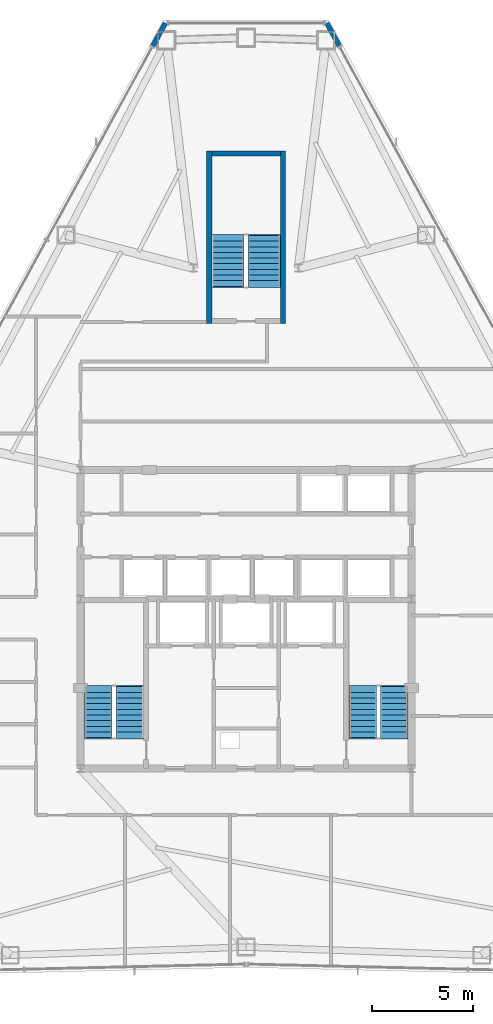
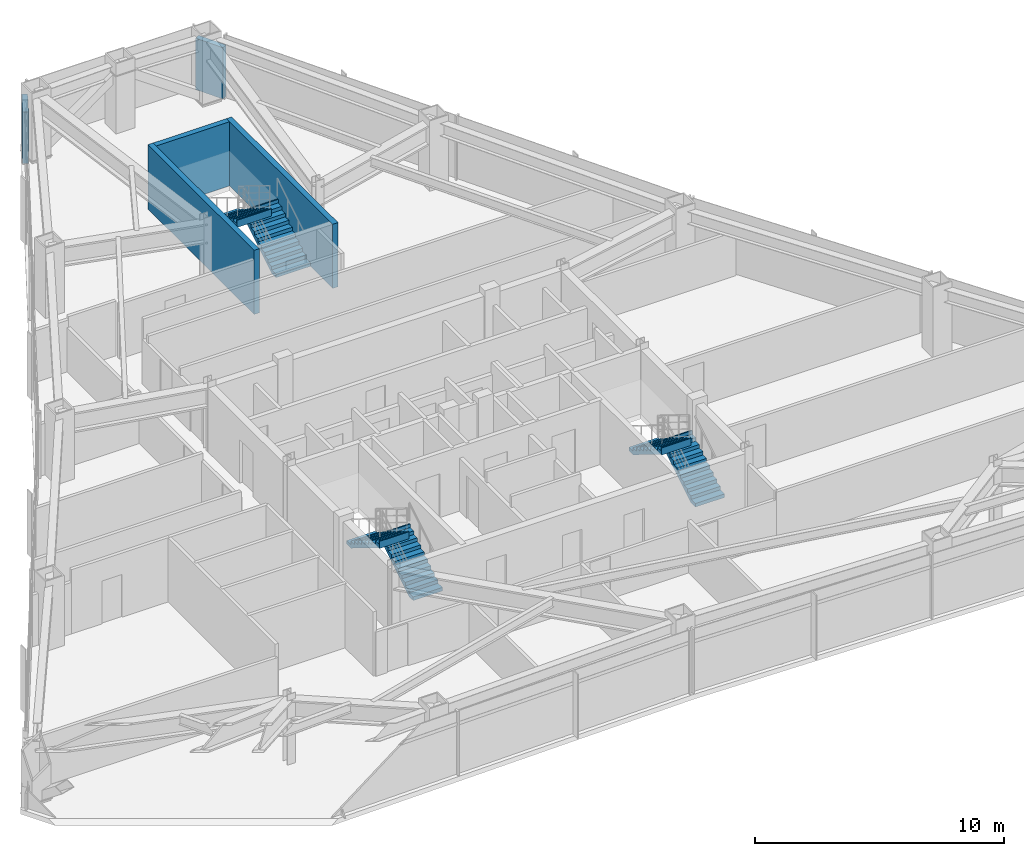
# One storey, part 11 of 12: 6 stair flights, 5 walls, 3 elements without a shape of their own.
"""IFC4 building model written with IfcOpenShell, lengths in metres."""

from ifc_helpers import new_model, si_unit, direction, frame, frame_2d, origin, place, context, subcontext, project, spatial, polyline, rectangle, outline, extrude, material, layer, layer_set, type_object, element, aggregate, save


model = new_model("IFC4")

# Units and contexts
model_context = context("Model", 3, precision=1e-05, world=origin(), true_north=direction((0.0, 1.0)))
body_context = subcontext(model_context, "Body", "Model", "MODEL_VIEW")
ifc_project = project(units=[si_unit("LENGTHUNIT", "METRE"), si_unit("AREAUNIT", "SQUARE_METRE"), si_unit("VOLUMEUNIT", "CUBIC_METRE"), si_unit("PLANEANGLEUNIT", "RADIAN"), si_unit("MASSUNIT", "GRAM", prefix="KILO")], contexts=[model_context])

# Site, building, storey
site_placement = place(None, origin())
site = spatial("IfcSite", under=ifc_project, at=site_placement, CompositionType="ELEMENT")
building_placement = place(site_placement, origin())
building = spatial("IfcBuilding", under=site, at=building_placement, Name="Varakhsha Concourse Tower", CompositionType="ELEMENT")
storey_placement = place(building_placement, frame((0.0, 0.0, 153.949951171875)))
storey = spatial("IfcBuildingStorey", under=building, at=storey_placement, Name="L44", CompositionType="ELEMENT", Elevation=153.949951171875)

# Walls
ifc_material = material(Name="Concrete fc 45 MPa", Category="concrete")
ifc_layer_1 = layer(ifc_material, 0.239990234375, Name="WL-EXT-CRN-240")
ifc_layer_set_1 = layer_set([ifc_layer_1], Name="Concrete fc 45 MPa")
wall_type_1 = type_object("IfcWallType", Name="WL-EXT-CRN-240", PredefinedType="SHEAR", material=ifc_layer_set_1)
for number, where, z_axis, x_axis, name in (
    (1, (35.996826171875, 53.342041015625, 0.0), (0.0, 0.0, 1.0), (-0.479580410706, -0.87749793713, 0.0), "L44 Wind-Corner Shoulder Wall F2"),
    (2, (44.62255859375, 52.208740234375, 0.0), (0.0, 0.0, 1.0), (-0.479580410706, 0.87749793713, 0.0), "L44 Wind-Corner Shoulder Wall F9"),
):
    element("IfcWall", number, at=place(storey_placement, frame(where, z_axis=z_axis, x_axis=x_axis)), inside=storey, type_object=wall_type_1, Name=name, PredefinedType="SHEAR", context=body_context, shape_type="SweptSolid", body=[
        extrude(rectangle(XDim=1.29150390625, YDim=0.239990234375, at=frame_2d((0.645751953125, 0.0))), origin(), (0.0, 0.0, 1.0), 2.52294921875),
    ])
ifc_layer_2 = layer(ifc_material, 0.25, Name="WL-STAIR-250")
ifc_layer_set_2 = layer_set([ifc_layer_2], Name="Concrete fc 45 MPa")
wall_type_2 = type_object("IfcWallType", Name="WL-STAIR-250", PredefinedType="SHEAR", material=ifc_layer_set_2)
for number, where, z_axis, x_axis, name in (
    (3, (38.175048828125, 38.449951171875, 0.0), (0.0, 0.0, 1.0), (0.0, 1.0, 0.0), "L44 Wall SWALL-ST5-W-L44"),
    (4, (41.824951171875, 38.449951171875, 0.0), (0.0, 0.0, 1.0), (0.0, 1.0, 0.0), "L44 Wall SWALL-ST5-E-L44"),
):
    element("IfcWall", number, at=place(storey_placement, frame(where, z_axis=z_axis, x_axis=x_axis)), inside=storey, type_object=wall_type_2, Name=name, PredefinedType="SHEAR", context=body_context, shape_type="SweptSolid", body=[
        extrude(rectangle(XDim=8.550048828125, YDim=0.25, at=frame_2d((4.27490234375, 0.0))), origin(), (0.0, 0.0, 1.0), 3.150146484375),
    ])
wall_placement = place(storey_placement, frame((38.300048828125, 46.875, 0.0), z_axis=(0.0, 0.0, 1.0), x_axis=(1.0, 0.0, 0.0)))
element("IfcWall", 5, at=wall_placement, inside=storey, type_object=wall_type_2, Name="L44 Wall SWALL-ST5-N-L44", PredefinedType="SHEAR", context=body_context, shape_type="SweptSolid", body=[
    extrude(rectangle(XDim=3.39990234375, YDim=0.25, at=frame_2d((1.699951171875, 0.0))), origin(), (0.0, 0.0, 1.0), 3.150146484375),
])

# Stair, stair flights
stair_type_1 = type_object("IfcStairType", Name="ST-DOGLEG-1360", PredefinedType="HALF_TURN_STAIR", material=ifc_material)
stair_1_placement = place(storey_placement, origin())
stair_1 = element("IfcStair", 6, at=stair_1_placement, inside=storey, type_object=stair_type_1, Name="L44 Protected Exit Stair ST1", PredefinedType="HALF_TURN_STAIR")
stair_flight_type_1 = type_object("IfcStairFlightType", Name="STF-1360-R1725", PredefinedType="STRAIGHT", material=ifc_material)
stair_flight_1_placement = place(storey_placement, frame((34.239990234375, 17.93994140625, 0.0), z_axis=(0.0, 0.0, 1.0), x_axis=(0.0, 1.0, 0.0)))
stair_flight_1 = element("IfcStairFlight", 7, at=stair_flight_1_placement, type_object=stair_flight_type_1, Name="ST1 flight 1", NumberOfRisers=10, NumberOfTreads=9, PredefinedType="STRAIGHT", RiserHeight=0.1725, TreadLength=0.28, context=body_context, shape_type="SweptSolid", body=[
    extrude(outline(polyline([(-0.06005859375, 0.0), (-0.06005859375, 0.172607421875), (0.0, 0.172607421875), (0.280029296875, 0.172607421875), (0.280029296875, 0.344970703125), (0.56005859375, 0.344970703125), (0.56005859375, 0.517578125), (0.840087890625, 0.517578125), (0.840087890625, 0.68994140625), (1.1201171875, 0.68994140625), (1.1201171875, 0.862548828125), (1.39990234375, 0.862548828125), (1.39990234375, 1.034912109375), (1.679931640625, 1.034912109375), (1.679931640625, 1.20751953125), (1.9599609375, 1.20751953125), (1.9599609375, 1.3798828125), (2.239990234375, 1.3798828125), (2.239990234375, 1.552490234375), (2.52001953125, 1.552490234375), (2.52001953125, 1.72509765625), (2.580078125, 1.72509765625), (2.580078125, 1.37646484375), (2.52001953125, 1.37646484375), (0.285888671875, 0.0), (-0.06005859375, 0.0)])), frame((0.0, 0.68017578125, 0.0), z_axis=(0.0, -1.0, 0.0), x_axis=(1.0, 0.0, 0.0)), (0.0, 0.0, 1.0), 1.360107421875),
])
stair_flight_2_placement = place(storey_placement, frame((32.679931640625, 20.4599609375, 1.72509765625), z_axis=(0.0, 0.0, 1.0), x_axis=(0.0, -1.0, 0.0)))
stair_flight_2 = element("IfcStairFlight", 8, at=stair_flight_2_placement, type_object=stair_flight_type_1, Name="ST1 flight 2", NumberOfRisers=10, NumberOfTreads=9, PredefinedType="STRAIGHT", RiserHeight=0.1725, TreadLength=0.28, context=body_context, shape_type="SweptSolid", body=[
    extrude(outline(polyline([(-0.06005859375, 0.0), (-0.06005859375, 0.172607421875), (0.0, 0.172607421875), (0.280029296875, 0.172607421875), (0.280029296875, 0.344970703125), (0.56005859375, 0.344970703125), (0.56005859375, 0.517578125), (0.840087890625, 0.517578125), (0.840087890625, 0.68994140625), (1.1201171875, 0.68994140625), (1.1201171875, 0.862548828125), (1.39990234375, 0.862548828125), (1.39990234375, 1.034912109375), (1.679931640625, 1.034912109375), (1.679931640625, 1.20751953125), (1.9599609375, 1.20751953125), (1.9599609375, 1.3798828125), (2.239990234375, 1.3798828125), (2.239990234375, 1.552490234375), (2.52001953125, 1.552490234375), (2.52001953125, 1.72509765625), (2.580078125, 1.72509765625), (2.580078125, 1.37646484375), (2.52001953125, 1.37646484375), (0.285888671875, 0.0), (-0.06005859375, 0.0)])), frame((0.0, 0.68017578125, 0.0), z_axis=(0.0, -1.0, 0.0), x_axis=(1.0, 0.0, 0.0)), (0.0, 0.0, 1.0), 1.360107421875),
])
aggregate(stair_1, [stair_flight_1, stair_flight_2])

stair_2_placement = place(storey_placement, origin())
stair_2 = element("IfcStair", 9, at=stair_2_placement, inside=storey, type_object=stair_type_1, Name="L44 Protected Exit Stair ST2", PredefinedType="HALF_TURN_STAIR")
stair_flight_3_placement = place(storey_placement, frame((47.340087890625, 17.93994140625, 0.0), z_axis=(0.0, 0.0, 1.0), x_axis=(0.0, 1.0, 0.0)))
stair_flight_3 = element("IfcStairFlight", 10, at=stair_flight_3_placement, type_object=stair_flight_type_1, Name="ST2 flight 1", NumberOfRisers=10, NumberOfTreads=9, PredefinedType="STRAIGHT", RiserHeight=0.1725, TreadLength=0.28, context=body_context, shape_type="SweptSolid", body=[
    extrude(outline(polyline([(-0.06005859375, 0.0), (-0.06005859375, 0.172607421875), (0.0, 0.172607421875), (0.280029296875, 0.172607421875), (0.280029296875, 0.344970703125), (0.56005859375, 0.344970703125), (0.56005859375, 0.517578125), (0.840087890625, 0.517578125), (0.840087890625, 0.68994140625), (1.1201171875, 0.68994140625), (1.1201171875, 0.862548828125), (1.39990234375, 0.862548828125), (1.39990234375, 1.034912109375), (1.679931640625, 1.034912109375), (1.679931640625, 1.20751953125), (1.9599609375, 1.20751953125), (1.9599609375, 1.3798828125), (2.239990234375, 1.3798828125), (2.239990234375, 1.552490234375), (2.52001953125, 1.552490234375), (2.52001953125, 1.72509765625), (2.580078125, 1.72509765625), (2.580078125, 1.37646484375), (2.52001953125, 1.37646484375), (0.285888671875, 0.0), (-0.06005859375, 0.0)])), frame((0.0, 0.68017578125, 0.0), z_axis=(0.0, -1.0, 0.0), x_axis=(1.0, 0.0, 0.0)), (0.0, 0.0, 1.0), 1.360107421875),
])
stair_flight_4_placement = place(storey_placement, frame((45.780029296875, 20.4599609375, 1.72509765625), z_axis=(0.0, 0.0, 1.0), x_axis=(0.0, -1.0, 0.0)))
stair_flight_4 = element("IfcStairFlight", 11, at=stair_flight_4_placement, type_object=stair_flight_type_1, Name="ST2 flight 2", NumberOfRisers=10, NumberOfTreads=9, PredefinedType="STRAIGHT", RiserHeight=0.1725, TreadLength=0.28, context=body_context, shape_type="SweptSolid", body=[
    extrude(outline(polyline([(-0.06005859375, 0.0), (-0.06005859375, 0.172607421875), (0.0, 0.172607421875), (0.280029296875, 0.172607421875), (0.280029296875, 0.344970703125), (0.56005859375, 0.344970703125), (0.56005859375, 0.517578125), (0.840087890625, 0.517578125), (0.840087890625, 0.68994140625), (1.1201171875, 0.68994140625), (1.1201171875, 0.862548828125), (1.39990234375, 0.862548828125), (1.39990234375, 1.034912109375), (1.679931640625, 1.034912109375), (1.679931640625, 1.20751953125), (1.9599609375, 1.20751953125), (1.9599609375, 1.3798828125), (2.239990234375, 1.3798828125), (2.239990234375, 1.552490234375), (2.52001953125, 1.552490234375), (2.52001953125, 1.72509765625), (2.580078125, 1.72509765625), (2.580078125, 1.37646484375), (2.52001953125, 1.37646484375), (0.285888671875, 0.0), (-0.06005859375, 0.0)])), frame((0.0, 0.68017578125, 0.0), z_axis=(0.0, -1.0, 0.0), x_axis=(1.0, 0.0, 0.0)), (0.0, 0.0, 1.0), 1.360107421875),
])
aggregate(stair_2, [stair_flight_3, stair_flight_4])

stair_type_2 = type_object("IfcStairType", Name="ST-DOGLEG-1600", PredefinedType="HALF_TURN_STAIR", material=ifc_material)
stair_3_placement = place(storey_placement, origin())
stair_3 = element("IfcStair", 12, at=stair_3_placement, inside=storey, type_object=stair_type_2, Name="L44 Protected Exit Stair ST5", PredefinedType="HALF_TURN_STAIR")
stair_flight_type_2 = type_object("IfcStairFlightType", Name="STF-1600-R1725", PredefinedType="STRAIGHT", material=ifc_material)
stair_flight_5_placement = place(storey_placement, frame((40.89990234375, 40.300048828125, 0.0), z_axis=(0.0, 0.0, 1.0), x_axis=(0.0, 1.0, 0.0)))
stair_flight_5 = element("IfcStairFlight", 13, at=stair_flight_5_placement, type_object=stair_flight_type_2, Name="ST5 flight 1", NumberOfRisers=10, NumberOfTreads=9, PredefinedType="STRAIGHT", RiserHeight=0.1725, TreadLength=0.28, context=body_context, shape_type="SweptSolid", body=[
    extrude(outline(polyline([(-0.06005859375, 0.0), (-0.06005859375, 0.172607421875), (0.0, 0.172607421875), (0.280029296875, 0.172607421875), (0.280029296875, 0.344970703125), (0.56005859375, 0.344970703125), (0.56005859375, 0.517578125), (0.840087890625, 0.517578125), (0.840087890625, 0.68994140625), (1.1201171875, 0.68994140625), (1.1201171875, 0.862548828125), (1.39990234375, 0.862548828125), (1.39990234375, 1.034912109375), (1.679931640625, 1.034912109375), (1.679931640625, 1.20751953125), (1.9599609375, 1.20751953125), (1.9599609375, 1.3798828125), (2.239990234375, 1.3798828125), (2.239990234375, 1.552490234375), (2.52001953125, 1.552490234375), (2.52001953125, 1.72509765625), (2.580078125, 1.72509765625), (2.580078125, 1.37646484375), (2.52001953125, 1.37646484375), (0.285888671875, 0.0), (-0.06005859375, 0.0)])), frame((0.0, 0.800048828125, 0.0), z_axis=(0.0, -1.0, 0.0), x_axis=(1.0, 0.0, 0.0)), (0.0, 0.0, 1.0), 1.60009765625),
])
stair_flight_6_placement = place(storey_placement, frame((39.10009765625, 42.820068359375, 1.72509765625), z_axis=(0.0, 0.0, 1.0), x_axis=(0.0, -1.0, 0.0)))
stair_flight_6 = element("IfcStairFlight", 14, at=stair_flight_6_placement, type_object=stair_flight_type_2, Name="ST5 flight 2", NumberOfRisers=10, NumberOfTreads=9, PredefinedType="STRAIGHT", RiserHeight=0.1725, TreadLength=0.28, context=body_context, shape_type="SweptSolid", body=[
    extrude(outline(polyline([(-0.06005859375, 0.0), (-0.06005859375, 0.172607421875), (0.0, 0.172607421875), (0.280029296875, 0.172607421875), (0.280029296875, 0.344970703125), (0.56005859375, 0.344970703125), (0.56005859375, 0.517578125), (0.840087890625, 0.517578125), (0.840087890625, 0.68994140625), (1.1201171875, 0.68994140625), (1.1201171875, 0.862548828125), (1.39990234375, 0.862548828125), (1.39990234375, 1.034912109375), (1.679931640625, 1.034912109375), (1.679931640625, 1.20751953125), (1.9599609375, 1.20751953125), (1.9599609375, 1.3798828125), (2.239990234375, 1.3798828125), (2.239990234375, 1.552490234375), (2.52001953125, 1.552490234375), (2.52001953125, 1.72509765625), (2.580078125, 1.72509765625), (2.580078125, 1.37646484375), (2.52001953125, 1.37646484375), (0.285888671875, 0.0), (-0.06005859375, 0.0)])), frame((0.0, 0.800048828125, 0.0), z_axis=(0.0, -1.0, 0.0), x_axis=(1.0, 0.0, 0.0)), (0.0, 0.0, 1.0), 1.60009765625),
])
aggregate(stair_3, [stair_flight_5, stair_flight_6])

save(model, "model.ifc")
